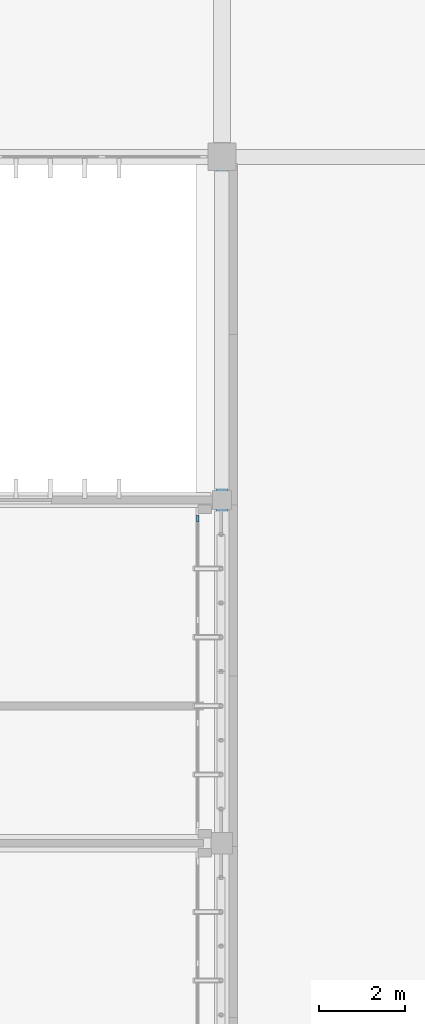
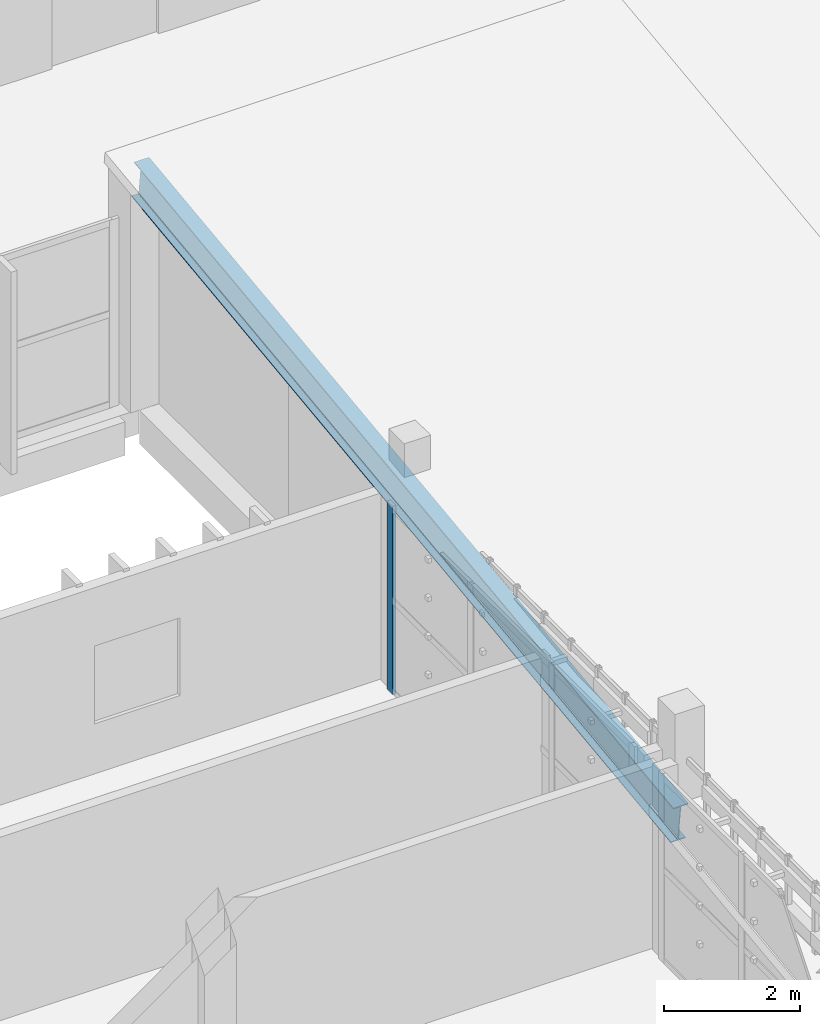
# One storey, part 41 of 83: 1 beam, 1 member, 1 element without a shape of its own.
"""IFC4 building model written with IfcOpenShell, lengths in metres."""

from ifc_helpers import new_model, si_unit, direction, frame, origin, origin_2d, place, context, subcontext, project, spatial, rectangle, i_section, extrude, material, layer, layer_set, material_profile, profile_set, type_object, element, aggregate, save


model = new_model("IFC4")

# Units and contexts
model_context = context("Model", 3, precision=1e-05, world=origin(), true_north=direction((0.0, 1.0)))
body_context = subcontext(model_context, "Body", "Model", "MODEL_VIEW")
ifc_project = project(units=[si_unit("LENGTHUNIT", "METRE"), si_unit("AREAUNIT", "SQUARE_METRE"), si_unit("VOLUMEUNIT", "CUBIC_METRE"), si_unit("PLANEANGLEUNIT", "RADIAN"), si_unit("MASSUNIT", "GRAM", prefix="KILO")], contexts=[model_context])

# Site, building, storey
site_placement = place(None, origin())
site = spatial("IfcSite", under=ifc_project, at=site_placement, CompositionType="ELEMENT")
building_placement = place(site_placement, origin())
building = spatial("IfcBuilding", under=site, at=building_placement, Name="Jelvoka-Kovrelna Polytechnic", CompositionType="ELEMENT")
storey_placement = place(building_placement, frame((0.0, 0.0, 13.800048828125)))
storey = spatial("IfcBuildingStorey", under=building, at=storey_placement, Name="L04", CompositionType="ELEMENT", Elevation=13.800048828125)

# Beam
ifc_material_1 = material(Name="Structural steel S355JR", Category="steel")
ifc_material_profile_1 = material_profile(ifc_material_1, i_section(OverallWidth=0.2529296875, OverallDepth=0.677978515625, WebThickness=0.01171875, FlangeThickness=0.01611328125, FilletRadius=0.01513671875, at=origin_2d()), Name="686x254x125 UB")
ifc_profile_set_1 = profile_set([ifc_material_profile_1], Name="Structural steel S355JR")
beam_type = type_object("IfcBeamType", Name="Girder_Steel_UB686", PredefinedType="BEAM", material=ifc_profile_set_1)
beam_placement = place(storey_placement, frame((160.0, 16.050048828125, 1.97998046875), z_axis=(0.0, 0.992258644021, 0.124188499331), x_axis=(-1.0, 0.0, 0.0)))
element("IfcBeam", 1, at=beam_placement, inside=storey, type_object=beam_type, Name="L04 V5 north outward-pitched girder 0252", PredefinedType="BEAM", context=body_context, shape_type="SweptSolid", body=[
    extrude(i_section(OverallWidth=0.2529296875, OverallDepth=0.677978515625, WebThickness=0.01171875, FlangeThickness=0.01611328125, FilletRadius=0.01513671875, at=origin_2d()), origin(), (0.0, 0.0, 1.0), 16.02392578125),
])

# Curtain wall, member
ifc_material_2 = material(Name="Anodised aluminium 6063-T6", Category="aluminium")
ifc_layer = layer(ifc_material_2, 0.159912109375)
ifc_layer_set = layer_set([ifc_layer], Name="Anodised aluminium 6063-T6")
curtain_wall_type = type_object("IfcCurtainWallType", Name="CW_Recessed_A", PredefinedType="NOTDEFINED", material=ifc_layer_set)
curtain_wall_placement = place(storey_placement, origin())
curtain_wall = element("IfcCurtainWall", 2, at=curtain_wall_placement, inside=storey, type_object=curtain_wall_type, Name="L04 glazed curtain wall 006", PredefinedType="NOTDEFINED")
ifc_material_3 = material(Name="Anodised aluminium 6063-T6", Category="aluminium")
ifc_material_profile_2 = material_profile(ifc_material_3, rectangle(XDim=0.06005859375, YDim=0.159912109375, at=origin_2d()), Name="ALU 60x160")
ifc_profile_set_2 = profile_set([ifc_material_profile_2], Name="Anodised aluminium 6063-T6")
member_type = type_object("IfcMemberType", Name="Mullion_M-01", PredefinedType="MULLION", material=ifc_profile_set_2)
member_placement = place(storey_placement, frame((159.43994140625, 23.570068359375, -0.02490234375), z_axis=(0.0, 0.0, 1.0), x_axis=(1.0, 0.0, 0.0)))
member = element("IfcMember", 3, at=member_placement, type_object=member_type, Name="CW-01 mullion 1", PredefinedType="MULLION", context=body_context, shape_type="SweptSolid", body=[
    extrude(rectangle(XDim=0.06005859375, YDim=0.159912109375, at=origin_2d()), origin(), (0.0, 0.0, 1.0), 3.39990234375),
])
aggregate(curtain_wall, [member])

save(model, "model.ifc")
